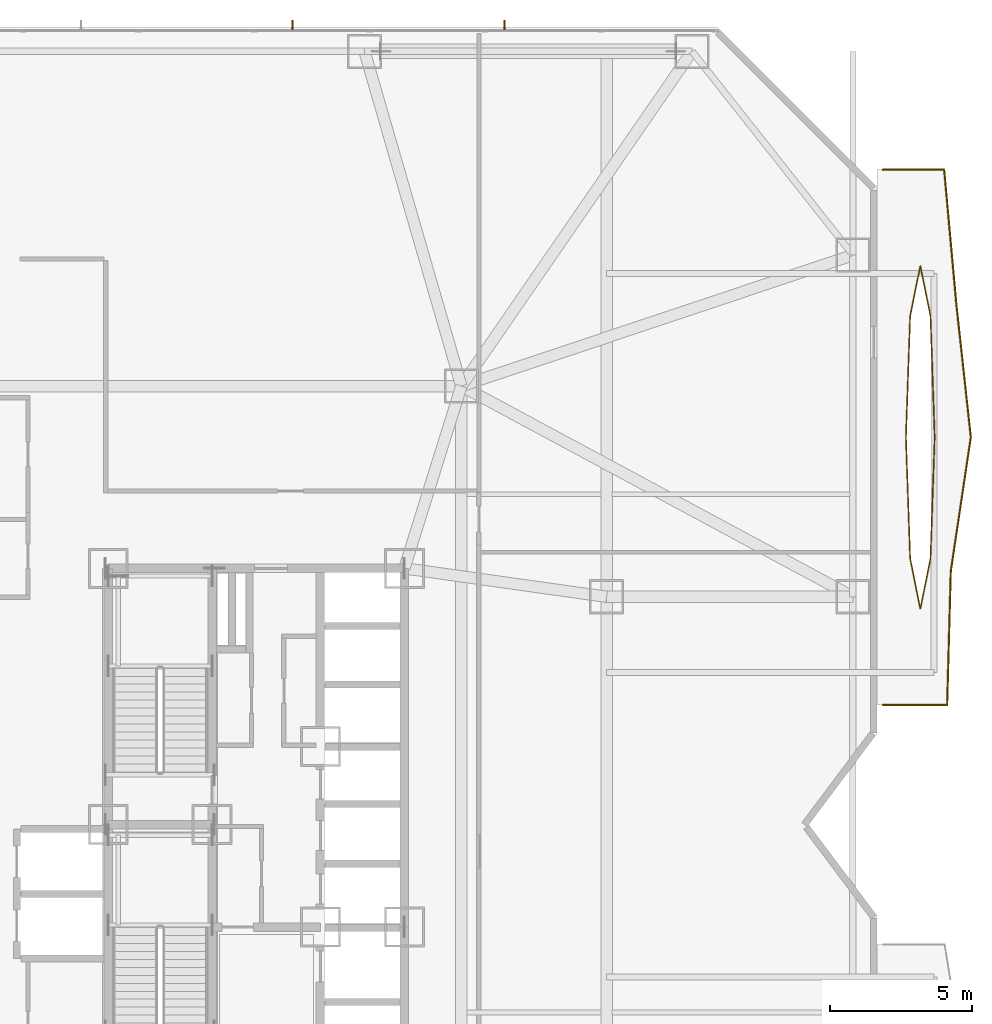
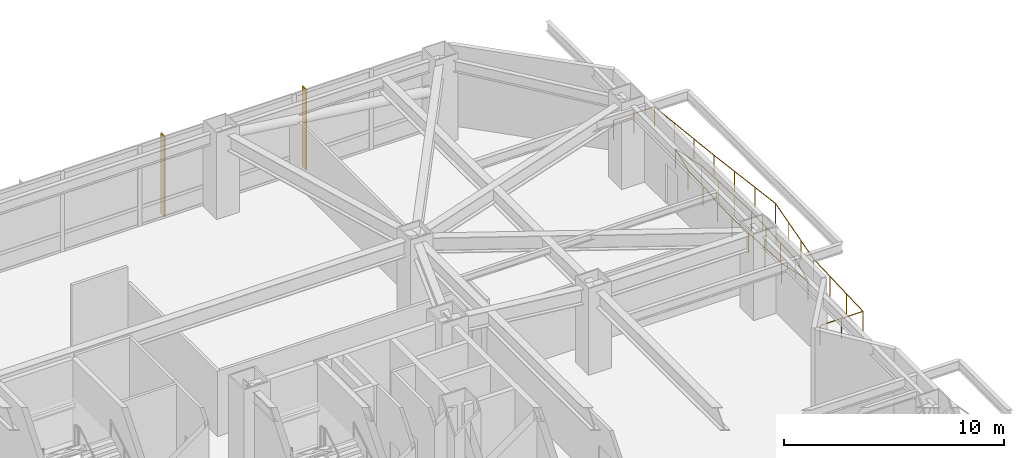
# One storey, part 33 of 33: 4 railings, 2 shading devices.
"""IFC4 building model written with IfcOpenShell, lengths in metres."""

from ifc_helpers import new_model, si_unit, direction, frame, origin, origin_2d, place, context, subcontext, project, spatial, rectangle, circle, extrude, material, type_object, element, save


model = new_model("IFC4")

# Units and contexts
model_context = context("Model", 3, precision=1e-05, world=origin(), true_north=direction((0.0, 1.0)))
body_context = subcontext(model_context, "Body", "Model", "MODEL_VIEW")
ifc_project = project(units=[si_unit("LENGTHUNIT", "METRE"), si_unit("AREAUNIT", "SQUARE_METRE"), si_unit("VOLUMEUNIT", "CUBIC_METRE"), si_unit("PLANEANGLEUNIT", "RADIAN"), si_unit("MASSUNIT", "GRAM", prefix="KILO")], contexts=[model_context])

# Site, building, storey
site_placement = place(None, origin())
site = spatial("IfcSite", under=ifc_project, at=site_placement, CompositionType="ELEMENT")
building_placement = place(site_placement, origin())
building = spatial("IfcBuilding", under=site, at=building_placement, Name="Khamvora Tower", CompositionType="ELEMENT")
storey_placement = place(building_placement, frame((0.0, 0.0, 7.199951171875)))
storey = spatial("IfcBuildingStorey", under=building, at=storey_placement, Name="L01", CompositionType="ELEMENT", Elevation=7.199951171875)

# Railings
ifc_material_1 = material(Name="Stainless Steel 316 and Laminated Glass", Category="steel")
railing_type = type_object("IfcRailingType", Name="RAL-GAL-1120", PredefinedType="GUARDRAIL", material=ifc_material_1)
railing_1_placement = place(storey_placement, frame((56.199951171875, 32.199951171875, 0.0)))
element("IfcRailing", 1, at=railing_1_placement, inside=storey, type_object=railing_type, Name="L01 lens gallery south perimeter guardrail EL2", PredefinedType="GUARDRAIL", context=body_context, shape_type="SweptSolid", body=[
    extrude(circle(Radius=0.02392578125, at=origin_2d()), frame((0.0, 0.0, 1.09619140625), z_axis=(1.0, 0.0, 0.0), x_axis=(0.0, 1.0, 0.0)), (0.0, 0.0, 1.0), 2.258056640625),
    extrude(circle(Radius=0.02392578125, at=origin_2d()), frame((2.258056640625, 0.0, 1.09619140625), z_axis=(0.027416836445, 0.999624087885, 0.0), x_axis=(-0.999624087885, 0.027416836445, 0.0)), (0.0, 0.0, 1.0), 4.70166015625),
    extrude(circle(Radius=0.02392578125, at=origin_2d()), frame((2.386962890625, 4.699951171875, 1.09619140625), z_axis=(0.147948564483, 0.988995056746, 0.0), x_axis=(-0.988995056746, 0.147948564483, 0.0)), (0.0, 0.0, 1.0), 4.75244140625),
    extrude(circle(Radius=0.02099609375, at=origin_2d()), origin(), (0.0, 0.0, 1.0), 1.072021484375),
    extrude(circle(Radius=0.02099609375, at=origin_2d()), frame((1.12890625, 0.0, 0.0)), (0.0, 0.0, 1.0), 1.072021484375),
    extrude(circle(Radius=0.02099609375, at=origin_2d()), frame((2.258056640625, 0.0, 0.0)), (0.0, 0.0, 1.0), 1.072021484375),
    extrude(circle(Radius=0.02099609375, at=origin_2d()), frame((2.301025390625, 1.566650390625, 0.0)), (0.0, 0.0, 1.0), 1.072021484375),
    extrude(circle(Radius=0.02099609375, at=origin_2d()), frame((2.343994140625, 3.13330078125, 0.0)), (0.0, 0.0, 1.0), 1.072021484375),
    extrude(circle(Radius=0.02099609375, at=origin_2d()), frame((2.386962890625, 4.699951171875, 0.0)), (0.0, 0.0, 1.0), 1.072021484375),
    extrude(circle(Radius=0.02099609375, at=origin_2d()), frame((2.621337890625, 6.2666015625, 0.0)), (0.0, 0.0, 1.0), 1.072021484375),
    extrude(circle(Radius=0.02099609375, at=origin_2d()), frame((2.855712890625, 7.83349609375, 0.0)), (0.0, 0.0, 1.0), 1.072021484375),
    extrude(circle(Radius=0.02099609375, at=origin_2d()), frame((3.090087890625, 9.400146484375, 0.0)), (0.0, 0.0, 1.0), 1.072021484375),
])
railing_2_placement = place(storey_placement, frame((59.2900390625, 41.60009765625, 0.0)))
element("IfcRailing", 2, at=railing_2_placement, inside=storey, type_object=railing_type, Name="L01 lens gallery north perimeter guardrail EL2", PredefinedType="GUARDRAIL", context=body_context, shape_type="SweptSolid", body=[
    extrude(circle(Radius=0.02392578125, at=origin_2d()), frame((0.0, 0.0, 1.09619140625), z_axis=(-0.108084699753, 0.994141688935, 0.0), x_axis=(-0.994141688935, -0.108084699753, 0.0)), (0.0, 0.0, 1.0), 4.7275390625),
    extrude(circle(Radius=0.02392578125, at=origin_2d()), frame((-0.510986328125, 4.699951171875, 1.09619140625), z_axis=(-0.090274532388, 0.995916918624, 0.0), x_axis=(-0.995916918624, -0.090274532388, 0.0)), (0.0, 0.0, 1.0), 4.71923828125),
    extrude(circle(Radius=0.02392578125, at=origin_2d()), frame((-0.93701171875, 9.39990234375, 1.09619140625), z_axis=(-1.0, 0.0, 0.0), x_axis=(0.0, -1.0, 0.0)), (0.0, 0.0, 1.0), 2.153076171875),
    extrude(circle(Radius=0.02099609375, at=origin_2d()), origin(), (0.0, 0.0, 1.0), 1.072021484375),
    extrude(circle(Radius=0.02099609375, at=origin_2d()), frame((-0.17041015625, 1.566650390625, 0.0)), (0.0, 0.0, 1.0), 1.072021484375),
    extrude(circle(Radius=0.02099609375, at=origin_2d()), frame((-0.340576171875, 3.13330078125, 0.0)), (0.0, 0.0, 1.0), 1.072021484375),
    extrude(circle(Radius=0.02099609375, at=origin_2d()), frame((-0.510986328125, 4.699951171875, 0.0)), (0.0, 0.0, 1.0), 1.072021484375),
    extrude(circle(Radius=0.02099609375, at=origin_2d()), frame((-0.653076171875, 6.2666015625, 0.0)), (0.0, 0.0, 1.0), 1.072021484375),
    extrude(circle(Radius=0.02099609375, at=origin_2d()), frame((-0.794921875, 7.833251953125, 0.0)), (0.0, 0.0, 1.0), 1.072021484375),
    extrude(circle(Radius=0.02099609375, at=origin_2d()), frame((-0.93701171875, 9.39990234375, 0.0)), (0.0, 0.0, 1.0), 1.072021484375),
    extrude(circle(Radius=0.02099609375, at=origin_2d()), frame((-2.013671875, 9.39990234375, 0.0)), (0.0, 0.0, 1.0), 1.072021484375),
    extrude(circle(Radius=0.02099609375, at=origin_2d()), frame((-3.090087890625, 9.39990234375, 0.0)), (0.0, 0.0, 1.0), 1.072021484375),
])
railing_3_placement = place(storey_placement, frame((58.01904296875, 41.60009765625, 0.0)))
element("IfcRailing", 3, at=railing_3_placement, inside=storey, type_object=railing_type, Name="L01 lens gallery void guardrail EL2A", PredefinedType="GUARDRAIL", context=body_context, shape_type="SweptSolid", body=[
    extrude(circle(Radius=0.02392578125, at=origin_2d()), frame((0.0, 0.0, 1.09619140625), z_axis=(-0.034758598303, 0.999395737355, 0.0), x_axis=(-0.999395737355, -0.034758598303, 0.0)), (0.0, 0.0, 1.0), 4.256591796875),
    extrude(circle(Radius=0.02392578125, at=origin_2d()), frame((-0.14794921875, 4.25390625, 1.09619140625), z_axis=(-0.198152924969, 0.98017111686, 0.0), x_axis=(-0.98017111686, -0.198152924969, 0.0)), (0.0, 0.0, 1.0), 1.797607421875),
    extrude(circle(Radius=0.02392578125, at=origin_2d()), frame((-0.504150390625, 6.015869140625, 1.09619140625), z_axis=(-0.198022438185, -0.980197487232, 0.0), x_axis=(0.980197487232, -0.198022438185, 0.0)), (0.0, 0.0, 1.0), 1.797607421875),
    extrude(circle(Radius=0.02392578125, at=origin_2d()), frame((-0.860107421875, 4.25390625, 1.09619140625), z_axis=(-0.034758598303, -0.999395737355, 0.0), x_axis=(0.999395737355, -0.034758598303, 0.0)), (0.0, 0.0, 1.0), 4.256591796875),
    extrude(circle(Radius=0.02099609375, at=origin_2d()), origin(), (0.0, 0.0, 1.0), 1.072021484375),
    extrude(circle(Radius=0.02099609375, at=origin_2d()), frame((-0.04931640625, 1.41796875, 0.0)), (0.0, 0.0, 1.0), 1.072021484375),
    extrude(circle(Radius=0.02099609375, at=origin_2d()), frame((-0.0986328125, 2.8359375, 0.0)), (0.0, 0.0, 1.0), 1.072021484375),
    extrude(circle(Radius=0.02099609375, at=origin_2d()), frame((-0.14794921875, 4.25390625, 0.0)), (0.0, 0.0, 1.0), 1.072021484375),
    extrude(circle(Radius=0.02099609375, at=origin_2d()), frame((-0.504150390625, 6.015869140625, 0.0)), (0.0, 0.0, 1.0), 1.072021484375),
    extrude(circle(Radius=0.02099609375, at=origin_2d()), frame((-0.860107421875, 4.25390625, 0.0)), (0.0, 0.0, 1.0), 1.072021484375),
    extrude(circle(Radius=0.02099609375, at=origin_2d()), frame((-0.909423828125, 2.8359375, 0.0)), (0.0, 0.0, 1.0), 1.072021484375),
    extrude(circle(Radius=0.02099609375, at=origin_2d()), frame((-0.958740234375, 1.41796875, 0.0)), (0.0, 0.0, 1.0), 1.072021484375),
    extrude(circle(Radius=0.02099609375, at=origin_2d()), frame((-1.008056640625, 0.0, 0.0)), (0.0, 0.0, 1.0), 1.072021484375),
])
railing_4_placement = place(storey_placement, frame((57.010986328125, 41.60009765625, 0.0)))
element("IfcRailing", 4, at=railing_4_placement, inside=storey, type_object=railing_type, Name="L01 lens gallery void guardrail EL2B", PredefinedType="GUARDRAIL", context=body_context, shape_type="SweptSolid", body=[
    extrude(circle(Radius=0.02392578125, at=origin_2d()), frame((0.0, 0.0, 1.09619140625), z_axis=(0.034756605959, -0.999395806646, 0.0), x_axis=(0.999395806646, 0.034756605959, 0.0)), (0.0, 0.0, 1.0), 4.2568359375),
    extrude(circle(Radius=0.02392578125, at=origin_2d()), frame((0.14794921875, -4.254150390625, 1.09619140625), z_axis=(0.198022438185, -0.980197487232, 0.0), x_axis=(0.980197487232, 0.198022438185, 0.0)), (0.0, 0.0, 1.0), 1.797607421875),
    extrude(circle(Radius=0.02392578125, at=origin_2d()), frame((0.50390625, -6.01611328125, 1.09619140625), z_axis=(0.198152924969, 0.98017111686, 0.0), x_axis=(-0.98017111686, 0.198152924969, 0.0)), (0.0, 0.0, 1.0), 1.797607421875),
    extrude(circle(Radius=0.02392578125, at=origin_2d()), frame((0.860107421875, -4.254150390625, 1.09619140625), z_axis=(0.034756605959, 0.999395806646, 0.0), x_axis=(-0.999395806646, 0.034756605959, 0.0)), (0.0, 0.0, 1.0), 4.2568359375),
    extrude(circle(Radius=0.02099609375, at=origin_2d()), origin(), (0.0, 0.0, 1.0), 1.072021484375),
    extrude(circle(Radius=0.02099609375, at=origin_2d()), frame((0.04931640625, -1.41796875, 0.0)), (0.0, 0.0, 1.0), 1.072021484375),
    extrude(circle(Radius=0.02099609375, at=origin_2d()), frame((0.0986328125, -2.836181640625, 0.0)), (0.0, 0.0, 1.0), 1.072021484375),
    extrude(circle(Radius=0.02099609375, at=origin_2d()), frame((0.14794921875, -4.254150390625, 0.0)), (0.0, 0.0, 1.0), 1.072021484375),
    extrude(circle(Radius=0.02099609375, at=origin_2d()), frame((0.50390625, -6.01611328125, 0.0)), (0.0, 0.0, 1.0), 1.072021484375),
    extrude(circle(Radius=0.02099609375, at=origin_2d()), frame((0.860107421875, -4.254150390625, 0.0)), (0.0, 0.0, 1.0), 1.072021484375),
    extrude(circle(Radius=0.02099609375, at=origin_2d()), frame((0.909423828125, -2.836181640625, 0.0)), (0.0, 0.0, 1.0), 1.072021484375),
    extrude(circle(Radius=0.02099609375, at=origin_2d()), frame((0.958740234375, -1.41796875, 0.0)), (0.0, 0.0, 1.0), 1.072021484375),
    extrude(circle(Radius=0.02099609375, at=origin_2d()), frame((1.008056640625, 0.0, 0.0)), (0.0, 0.0, 1.0), 1.072021484375),
])

# Shading devices
ifc_material_2 = material(Name="Anodised Bronze Aluminium 6063-T6", Category="aluminium")
shading_device_type = type_object("IfcShadingDeviceType", Name="SHD-FIN-350", PredefinedType="USERDEFINED", material=ifc_material_2)
for number, where, z_axis, x_axis, name in (
    (5, (35.47607421875, 56.077880859375, 0.0), (0.0, 0.0, 1.0), (1.0, 0.0, 0.0), "L01 anodised bronze solar fin 07.04"),
    (6, (42.9130859375, 56.077880859375, 0.0), (0.0, 0.0, 1.0), (1.0, 0.0, 0.0), "L01 anodised bronze solar fin 07.05"),
):
    element("IfcShadingDevice", number, at=place(storey_placement, frame(where, z_axis=z_axis, x_axis=x_axis)), inside=storey, type_object=shading_device_type, Name=name, ObjectType="FIN", PredefinedType="USERDEFINED", context=body_context, shape_type="SweptSolid", body=[
        extrude(rectangle(XDim=0.054931640625, YDim=0.35009765625, at=origin_2d()), origin(), (0.0, 0.0, 1.0), 4.47998046875),
    ])

save(model, "model.ifc")
